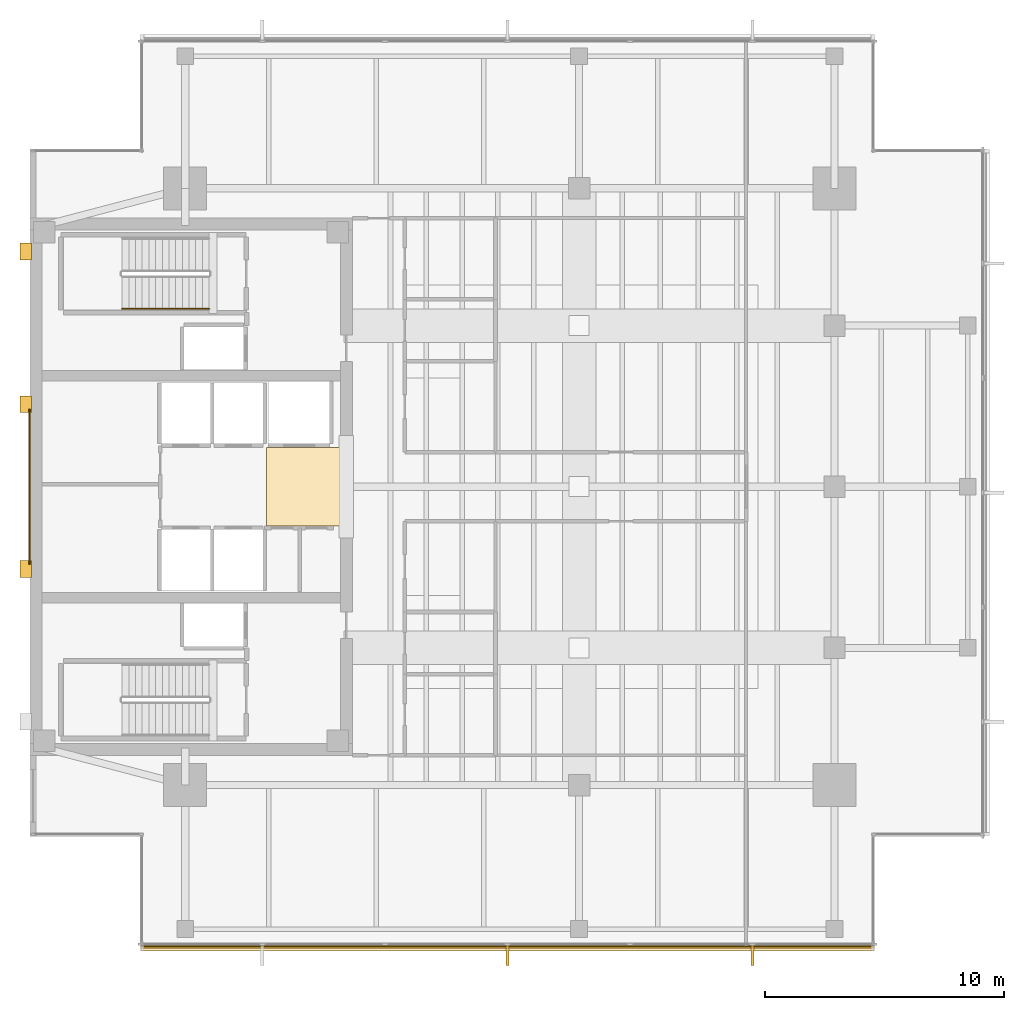
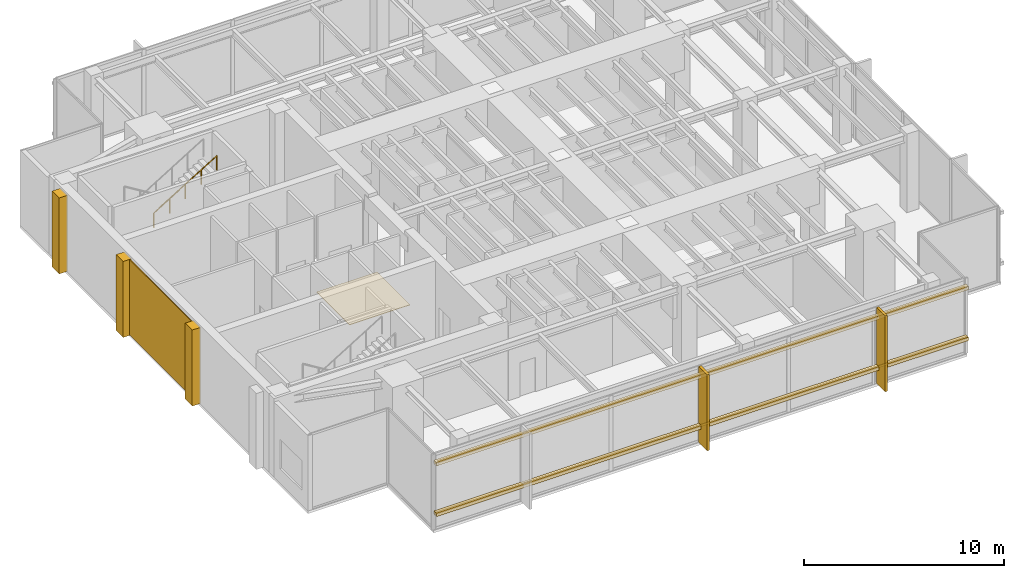
# One storey, part 12 of 14: 9 coverings, 2 shading devices, 1 railing.
"""IFC4 building model written with IfcOpenShell, lengths in metres."""

from ifc_helpers import new_model, si_unit, direction, frame, origin, origin_2d, place, context, subcontext, project, spatial, polyline, rectangle, circle, outline, extrude, material, layer, layer_set, material_profile, profile_set, type_object, element, save


model = new_model("IFC4")

# Units and contexts
model_context = context("Model", 3, precision=1e-05, world=origin(), true_north=direction((0.0, 1.0)))
body_context = subcontext(model_context, "Body", "Model", "MODEL_VIEW")
ifc_project = project(units=[si_unit("LENGTHUNIT", "METRE"), si_unit("AREAUNIT", "SQUARE_METRE"), si_unit("VOLUMEUNIT", "CUBIC_METRE"), si_unit("PLANEANGLEUNIT", "RADIAN"), si_unit("MASSUNIT", "GRAM", prefix="KILO")], contexts=[model_context])

# Site, building, storey
site_placement = place(None, origin())
site = spatial("IfcSite", under=ifc_project, at=site_placement, CompositionType="ELEMENT")
building_placement = place(site_placement, origin())
building = spatial("IfcBuilding", under=site, at=building_placement, Name="Kinhvarn Gate Tower", CompositionType="ELEMENT")
storey_placement = place(building_placement, frame((0.0, 0.0, 291.85009765625)))
storey = spatial("IfcBuildingStorey", under=building, at=storey_placement, Name="L78", CompositionType="ELEMENT", Elevation=291.85009765625)

# Coverings
ifc_material_1 = material(Name="Fired architectural terracotta", Category="masonry")
ifc_layer_1 = layer(ifc_material_1, 0.239990234375)
ifc_layer_set_1 = layer_set([ifc_layer_1], Name="Fired architectural terracotta")
covering_type_1 = type_object("IfcCoveringType", Name="COV-BAG-220", PredefinedType="CLADDING", material=ifc_layer_set_1)
covering_1_placement = place(storey_placement, frame((0.0, 0.0, 0.93994140625)))
element("IfcCovering", 1, at=covering_1_placement, inside=storey, type_object=covering_type_1, Name="Terracotta Horizontal Sunscreen Band TBG-220 (L78)", PredefinedType="CLADDING", context=body_context, shape_type="SweptSolid", body=[
    extrude(outline(polyline([(9.139892578125, 6.0400390625), (39.860107421875, 6.0400390625), (39.860107421875, 5.800048828125), (9.139892578125, 5.800048828125), (9.139892578125, 6.0400390625)])), origin(), (0.0, 0.0, 1.0), 0.219970703125),
])
covering_2_placement = place(storey_placement, frame((0.0, 0.0, 4.039794921875)))
element("IfcCovering", 2, at=covering_2_placement, inside=storey, type_object=covering_type_1, Name="Terracotta Horizontal Sunscreen Band TBG-220 (L78)", PredefinedType="CLADDING", context=body_context, shape_type="SweptSolid", body=[
    extrude(outline(polyline([(9.139892578125, 6.0400390625), (39.860107421875, 6.0400390625), (39.860107421875, 5.800048828125), (9.139892578125, 5.800048828125), (9.139892578125, 6.0400390625)])), origin(), (0.0, 0.0, 1.0), 0.22021484375),
])
ifc_layer_2 = layer(ifc_material_1, 0.050048828125)
ifc_layer_set_2 = layer_set([ifc_layer_2], Name="Fired architectural terracotta")
covering_type_2 = type_object("IfcCoveringType", Name="COV-CLD-50", PredefinedType="CLADDING", material=ifc_layer_set_2)
covering_3_placement = place(storey_placement, origin())
element("IfcCovering", 3, at=covering_3_placement, inside=storey, type_object=covering_type_2, Name="West Core Terracotta Cladding Feature Panel (L78)", PredefinedType="CLADDING", context=body_context, shape_type="SweptSolid", body=[
    extrude(outline(polyline([(4.449951171875, 22.0), (4.5, 22.0), (4.5, 28.5), (4.449951171875, 28.5), (4.449951171875, 22.0)])), origin(), (0.0, 0.0, 1.0), 4.599853515625),
])
ifc_layer_3 = layer(ifc_material_1, 0.139892578125)
ifc_layer_set_3 = layer_set([ifc_layer_3], Name="Fired architectural terracotta")
covering_type_3 = type_object("IfcCoveringType", Name="COV-FIN-850", PredefinedType="CLADDING", material=ifc_layer_set_3)
covering_4_placement = place(storey_placement, frame((0.0, 0.0, -0.02001953125)))
element("IfcCovering", 4, at=covering_4_placement, inside=storey, type_object=covering_type_3, Name="Vertical Terracotta Expressive Fin TFN-850 (L78)", PredefinedType="CLADDING", context=body_context, shape_type="SweptSolid", body=[
    extrude(outline(polyline([(24.429931640625, 6.050048828125), (24.570068359375, 6.050048828125), (24.570068359375, 5.199951171875), (24.429931640625, 5.199951171875), (24.429931640625, 6.050048828125)])), origin(), (0.0, 0.0, 1.0), 4.639892578125),
])
covering_5_placement = place(storey_placement, frame((0.0, 0.0, -0.02001953125)))
element("IfcCovering", 5, at=covering_5_placement, inside=storey, type_object=covering_type_3, Name="Vertical Terracotta Expressive Fin TFN-850 (L78)", PredefinedType="CLADDING", context=body_context, shape_type="SweptSolid", body=[
    extrude(outline(polyline([(34.69677734375, 6.050048828125), (34.836669921875, 6.050048828125), (34.836669921875, 5.199951171875), (34.69677734375, 5.199951171875), (34.69677734375, 6.050048828125)])), origin(), (0.0, 0.0, 1.0), 4.639892578125),
])
ifc_material_2 = material(Name="Honed granite architectural paving", Category="masonry")
ifc_layer_4 = layer(ifc_material_2, 0.030029296875)
ifc_layer_set_4 = layer_set([ifc_layer_4], Name="Honed granite architectural paving")
covering_type_4 = type_object("IfcCoveringType", Name="COV-FLR-30", PredefinedType="FLOORING", material=ifc_layer_set_4)
covering_6_placement = place(storey_placement, origin())
element("IfcCovering", 6, at=covering_6_placement, inside=storey, type_object=covering_type_4, Name="Honed Granite Lift Lobby Flooring (L78)", PredefinedType="FLOORING", context=body_context, shape_type="SweptSolid", body=[
    extrude(outline(polyline([(14.39990234375, 23.60009765625), (14.39990234375, 26.89990234375), (17.89990234375, 26.89990234375), (17.89990234375, 23.60009765625), (14.39990234375, 23.60009765625)])), origin(), (0.0, 0.0, 1.0), 0.02978515625),
])
ifc_material_3 = material(Name="Precast white architectural concrete C40/50", Category="concrete")
ifc_layer_5 = layer(ifc_material_3, 0.47998046875)
ifc_layer_set_5 = layer_set([ifc_layer_5], Name="Precast white architectural concrete C40/50")
covering_type_5 = type_object("IfcCoveringType", Name="COV-RIB-450", PredefinedType="CLADDING", material=ifc_layer_set_5)
covering_7_placement = place(storey_placement, frame((0.0, 0.0, -0.02001953125)))
element("IfcCovering", 7, at=covering_7_placement, inside=storey, type_object=covering_type_5, Name="West Core Sculptural Concrete Relief Rib CRB-450 (L78)", PredefinedType="CLADDING", context=body_context, shape_type="SweptSolid", body=[
    extrude(outline(polyline([(4.080078125, 21.449951171875), (4.56005859375, 21.449951171875), (4.56005859375, 22.14990234375), (4.080078125, 22.14990234375), (4.080078125, 21.449951171875)])), origin(), (0.0, 0.0, 1.0), 4.639892578125),
])
covering_8_placement = place(storey_placement, frame((0.0, 0.0, -0.02001953125)))
element("IfcCovering", 8, at=covering_8_placement, inside=storey, type_object=covering_type_5, Name="West Core Sculptural Concrete Relief Rib CRB-450 (L78)", PredefinedType="CLADDING", context=body_context, shape_type="SweptSolid", body=[
    extrude(outline(polyline([(4.080078125, 28.35009765625), (4.56005859375, 28.35009765625), (4.56005859375, 29.050048828125), (4.080078125, 29.050048828125), (4.080078125, 28.35009765625)])), origin(), (0.0, 0.0, 1.0), 4.639892578125),
])
covering_9_placement = place(storey_placement, frame((0.0, 0.0, -0.02001953125)))
element("IfcCovering", 9, at=covering_9_placement, inside=storey, type_object=covering_type_5, Name="West Core Sculptural Concrete Relief Rib CRB-450 (L78)", PredefinedType="CLADDING", context=body_context, shape_type="SweptSolid", body=[
    extrude(outline(polyline([(4.080078125, 34.75), (4.56005859375, 34.75), (4.56005859375, 35.449951171875), (4.080078125, 35.449951171875), (4.080078125, 34.75)])), origin(), (0.0, 0.0, 1.0), 4.639892578125),
])

# Railing
ifc_material_4 = material(Name="Steel S355", Category="steel")
railing_type = type_object("IfcRailingType", Name="RL-ST-HND", PredefinedType="HANDRAIL", material=ifc_material_4)
railing_placement = place(storey_placement, frame((8.360107421875, 32.699951171875, 2.5712890625)))
element("IfcRailing", 10, at=railing_placement, inside=storey, type_object=railing_type, Name="L78 ST2 stair handrail 2", PredefinedType="HANDRAIL", context=body_context, shape_type="SweptSolid", body=[
    extrude(circle(Radius=0.02392578125, at=origin_2d()), frame((0.0, 0.0, 0.8759765625), z_axis=(0.852850264322, 0.0, 0.5221555579), x_axis=(0.0, 1.0, 0.0)), (0.0, 0.0, 1.0), 4.267822265625),
    extrude(circle(Radius=0.02099609375, at=origin_2d()), origin(), (0.0, 0.0, 1.0), 0.851806640625),
    extrude(circle(Radius=0.02099609375, at=origin_2d()), frame((0.909912109375, 0.0, 0.55712890625)), (0.0, 0.0, 1.0), 0.851806640625),
    extrude(circle(Radius=0.02099609375, at=origin_2d()), frame((1.81982421875, 0.0, 1.1142578125)), (0.0, 0.0, 1.0), 0.851806640625),
    extrude(circle(Radius=0.02099609375, at=origin_2d()), frame((2.72998046875, 0.0, 1.67138671875)), (0.0, 0.0, 1.0), 0.851806640625),
    extrude(circle(Radius=0.02099609375, at=origin_2d()), frame((3.639892578125, 0.0, 2.228515625)), (0.0, 0.0, 1.0), 0.851806640625),
])

# Shading devices
ifc_material_profile = material_profile(ifc_material_1, rectangle(XDim=0.06005859375, YDim=0.139892578125, at=origin_2d()), Name="TC 60x140")
ifc_profile_set = profile_set([ifc_material_profile], Name="Fired architectural terracotta")
shading_device_type = type_object("IfcShadingDeviceType", Name="SHD-BAG-180", PredefinedType="USERDEFINED", material=ifc_profile_set)
for number, where, z_axis, x_axis, name in (
    (11, (9.139892578125, 5.965087890625, 1.0498046875), (1.0, 0.0, 0.0), (0.0, 1.0, 0.0), "Fired Terracotta Baguette Screen Rod 60x140 mm (L78)"),
    (12, (9.139892578125, 5.965087890625, 4.14990234375), (1.0, 0.0, 0.0), (0.0, 1.0, 0.0), "Fired Terracotta Baguette Screen Rod 60x140 mm (L78)"),
):
    element("IfcShadingDevice", number, at=place(storey_placement, frame(where, z_axis=z_axis, x_axis=x_axis)), inside=storey, type_object=shading_device_type, Name=name, ObjectType="BAGUETTE", PredefinedType="USERDEFINED", context=body_context, shape_type="SweptSolid", body=[
        extrude(rectangle(XDim=0.06005859375, YDim=0.139892578125, at=origin_2d()), origin(), (0.0, 0.0, 1.0), 30.72021484375),
    ])

save(model, "model.ifc")
